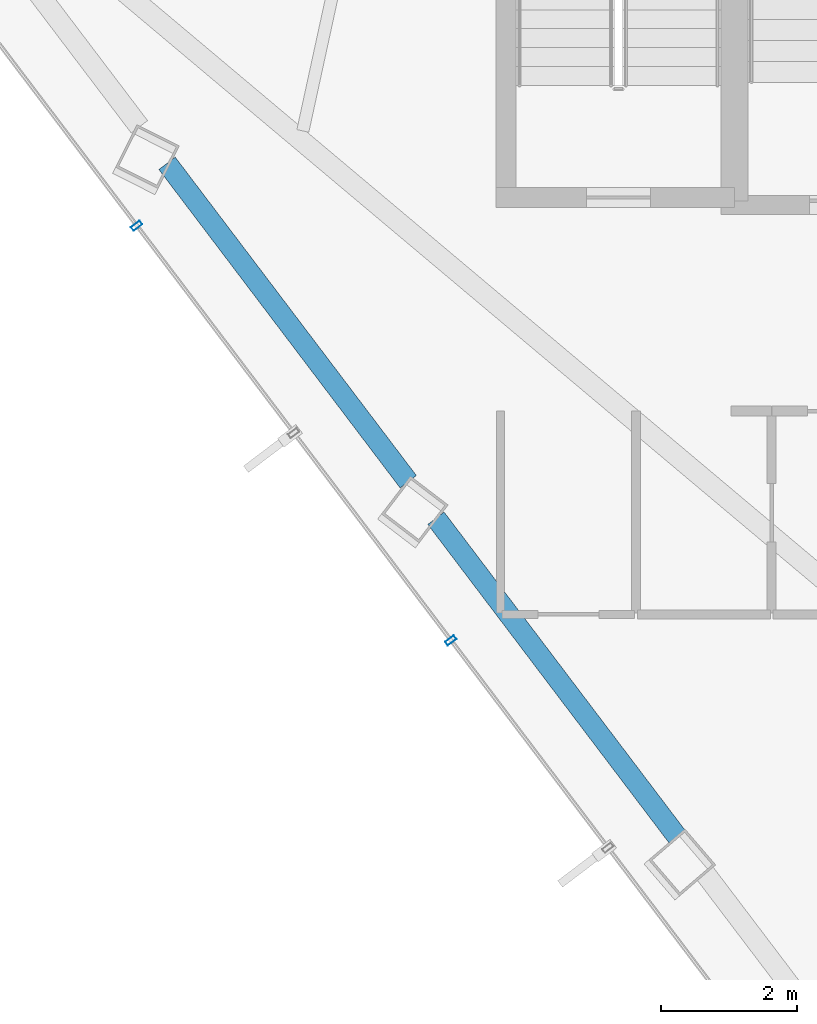
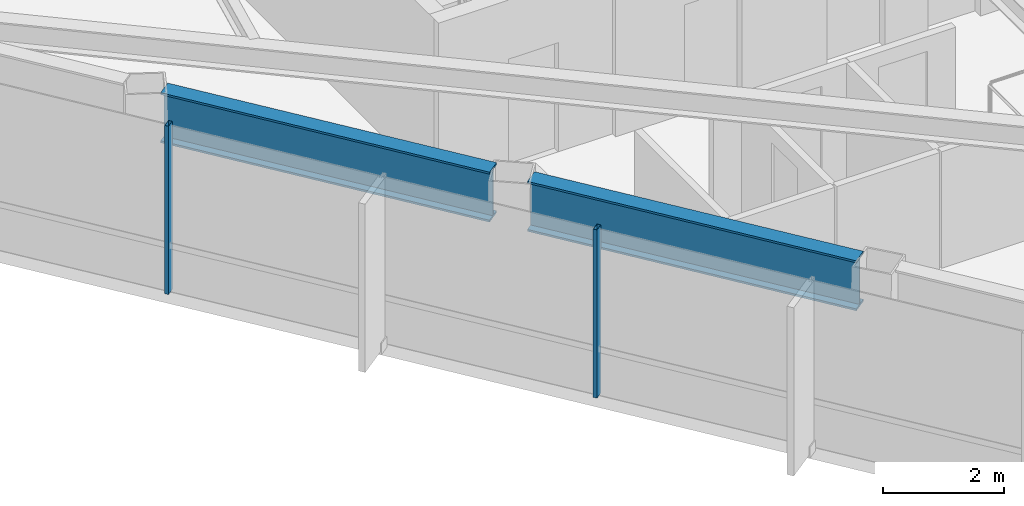
# One storey, part 3 of 28: 2 beams, 2 members, 1 element without a shape of its own.
"""IFC4 building model written with IfcOpenShell, lengths in metres."""

from ifc_helpers import new_model, si_unit, direction, frame, origin, origin_2d, place, context, subcontext, project, spatial, hollow_rectangle, i_section, extrude, material, layer, layer_set, material_profile, profile_set, type_object, element, aggregate, save


model = new_model("IFC4")

# Units and contexts
model_context = context("Model", 3, precision=1e-05, world=origin(), true_north=direction((0.0, 1.0)))
body_context = subcontext(model_context, "Body", "Model", "MODEL_VIEW")
ifc_project = project(units=[si_unit("LENGTHUNIT", "METRE"), si_unit("AREAUNIT", "SQUARE_METRE"), si_unit("VOLUMEUNIT", "CUBIC_METRE"), si_unit("PLANEANGLEUNIT", "RADIAN"), si_unit("MASSUNIT", "GRAM", prefix="KILO")], contexts=[model_context])

# Site, building, storey
site_placement = place(None, origin())
site = spatial("IfcSite", under=ifc_project, at=site_placement, CompositionType="ELEMENT")
building_placement = place(site_placement, origin())
building = spatial("IfcBuilding", under=site, at=building_placement, Name="Zarrinselat Tower", CompositionType="ELEMENT")
storey_placement = place(building_placement, frame((0.0, 0.0, 190.739990234375)))
storey = spatial("IfcBuildingStorey", under=building, at=storey_placement, Name="L47", CompositionType="ELEMENT", Elevation=190.739990234375)

# Beams
ifc_material_1 = material(Name="Steel S460M", Category="steel")
ifc_material_profile_1 = material_profile(ifc_material_1, i_section(OverallWidth=0.302001953125, OverallDepth=1.008056640625, WebThickness=0.02099609375, FlangeThickness=0.0400390625, at=origin_2d()), Name="HEM 1000")
ifc_profile_set_1 = profile_set([ifc_material_profile_1], Name="Steel S460M")
beam_type = type_object("IfcBeamType", Name="BM-HEM1000", PredefinedType="BEAM", material=ifc_profile_set_1)
beam_1_placement = place(storey_placement, frame((20.230712890625, 33.8046875, 2.885986328125), z_axis=(0.603837746444, -0.797107254997, 0.0), x_axis=(0.797107254997, 0.603837746444, 0.0)))
element("IfcBeam", 1, at=beam_1_placement, inside=storey, type_object=beam_type, Name="L47 Perimeter Spandrel Girder SP07", PredefinedType="BEAM", context=body_context, shape_type="SweptSolid", body=[
    extrude(i_section(OverallWidth=0.302001953125, OverallDepth=1.008056640625, WebThickness=0.02099609375, FlangeThickness=0.0400390625, at=origin_2d()), origin(), (0.0, 0.0, 1.0), 5.892822265625),
])
beam_2_placement = place(storey_placement, frame((24.197265625, 28.568603515625, 2.885986328125), z_axis=(0.603844128569, -0.797102420266, 0.0), x_axis=(0.797102420266, 0.603844128569, 0.0)))
element("IfcBeam", 2, at=beam_2_placement, inside=storey, type_object=beam_type, Name="L47 Perimeter Spandrel Girder SP08", PredefinedType="BEAM", context=body_context, shape_type="SweptSolid", body=[
    extrude(i_section(OverallWidth=0.302001953125, OverallDepth=1.008056640625, WebThickness=0.02099609375, FlangeThickness=0.0400390625, at=origin_2d()), origin(), (0.0, 0.0, 1.0), 5.893310546875),
])

# Curtain wall, members
ifc_material_2 = material(Name="Extruded Aluminium Alloy EN AW-6063 T6", Category="aluminium")
ifc_layer = layer(ifc_material_2, 0.175048828125)
ifc_layer_set = layer_set([ifc_layer], Name="Extruded Aluminium Alloy EN AW-6063 T6")
curtain_wall_type = type_object("IfcCurtainWallType", Name="CWS-HTL", PredefinedType="NOTDEFINED", material=ifc_layer_set)
curtain_wall_placement = place(storey_placement, origin())
curtain_wall = element("IfcCurtainWall", 3, at=curtain_wall_placement, inside=storey, type_object=curtain_wall_type, Name="L47 Unitised Curtain Wall CW-L47-E03", PredefinedType="NOTDEFINED")
ifc_material_3 = material(Name="Extruded Aluminium Alloy EN AW-6063 T6", Category="aluminium")
ifc_material_profile_2 = material_profile(ifc_material_3, hollow_rectangle(XDim=0.070068359375, YDim=0.159912109375, WallThickness=0.00390625, at=origin_2d()), Name="RHS 160x70x4")
ifc_profile_set_2 = profile_set([ifc_material_profile_2], Name="Extruded Aluminium Alloy EN AW-6063 T6")
member_type = type_object("IfcMemberType", Name="MEM-CW-MUL2", PredefinedType="MULLION", material=ifc_profile_set_2)
member_1_placement = place(storey_placement, frame((19.781982421875, 32.884765625, 0.0), z_axis=(0.0, 0.0, 1.0), x_axis=(0.603857114659, -0.7970925825, 0.0)))
member_1 = element("IfcMember", 4, at=member_1_placement, type_object=member_type, Name="CW-L47-E03 Mullion 2", PredefinedType="MULLION", context=body_context, shape_type="SweptSolid", body=[
    extrude(hollow_rectangle(XDim=0.070068359375, YDim=0.159912109375, WallThickness=0.00390625, at=origin_2d()), origin(), (0.0, 0.0, 1.0), 3.389892578125),
])
member_2_placement = place(storey_placement, frame((24.4169921875, 26.7666015625, 0.0), z_axis=(0.0, 0.0, 1.0), x_axis=(0.603857114659, -0.7970925825, 0.0)))
member_2 = element("IfcMember", 5, at=member_2_placement, type_object=member_type, Name="CW-L47-E03 Mullion 4", PredefinedType="MULLION", context=body_context, shape_type="SweptSolid", body=[
    extrude(hollow_rectangle(XDim=0.070068359375, YDim=0.159912109375, WallThickness=0.00390625, at=origin_2d()), origin(), (0.0, 0.0, 1.0), 3.389892578125),
])
aggregate(curtain_wall, [member_1, member_2])

save(model, "model.ifc")
